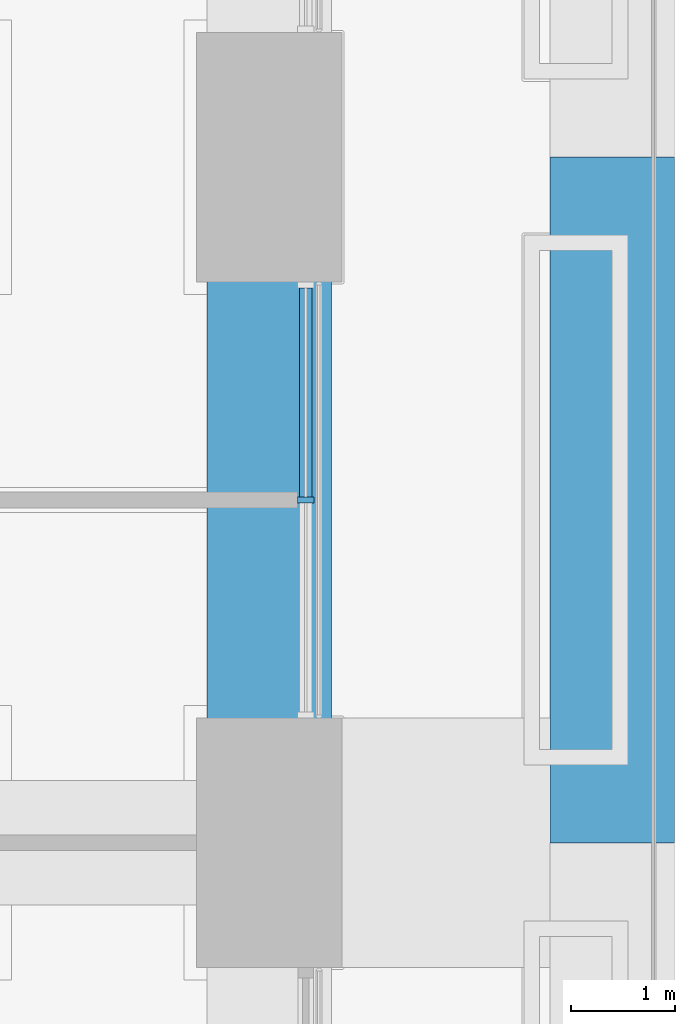
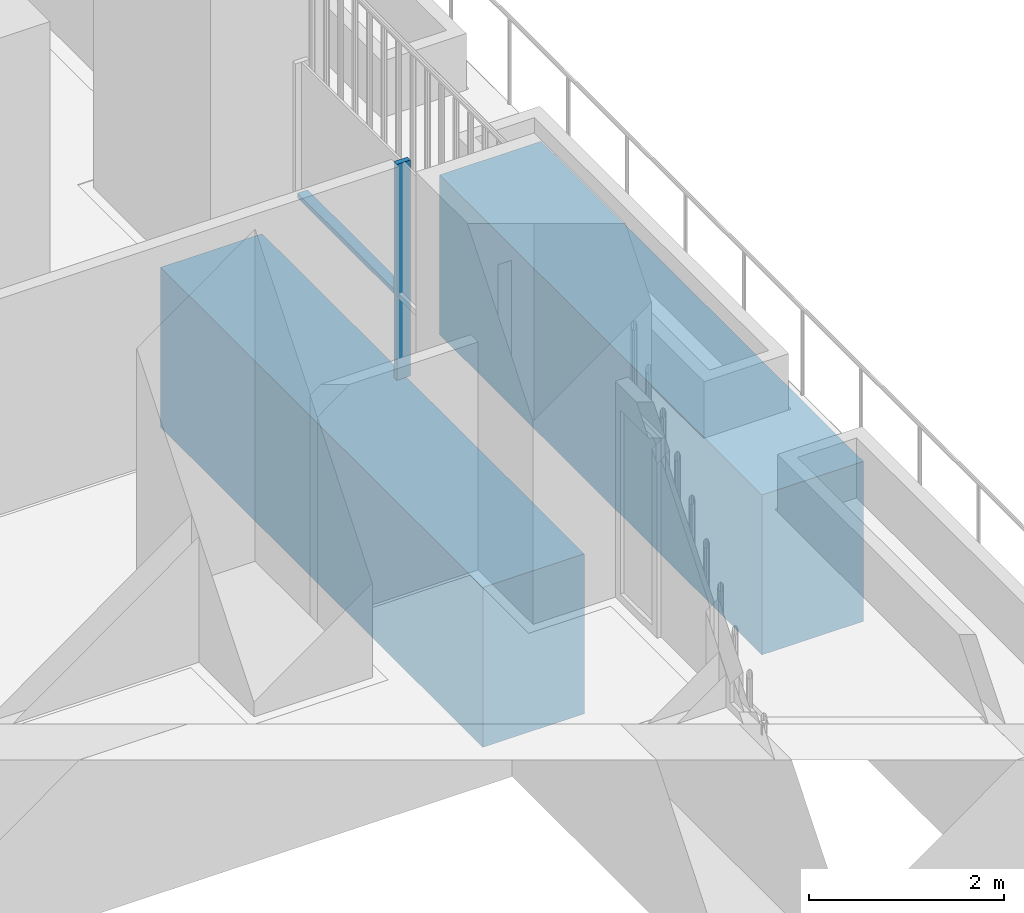
# One storey, part 6 of 27: 2 beams, 2 members, 1 element without a shape of its own.
"""IFC4 building model written with IfcOpenShell, lengths in metres."""

from ifc_helpers import new_model, si_unit, direction, frame, origin, origin_2d, place, context, subcontext, project, spatial, rectangle, extrude, material, material_profile, profile_set, type_object, element, aggregate, save


model = new_model("IFC4")

# Units and contexts
model_context = context("Model", 3, precision=1e-05, world=origin(), true_north=direction((0.0, 1.0)))
body_context = subcontext(model_context, "Body", "Model", "MODEL_VIEW")
ifc_project = project(units=[si_unit("LENGTHUNIT", "METRE"), si_unit("AREAUNIT", "SQUARE_METRE"), si_unit("VOLUMEUNIT", "CUBIC_METRE"), si_unit("PLANEANGLEUNIT", "RADIAN"), si_unit("MASSUNIT", "GRAM", prefix="KILO")], contexts=[model_context])

# Site, building, storey
site_placement = place(None, origin())
site = spatial("IfcSite", under=ifc_project, at=site_placement, CompositionType="ELEMENT")
building_placement = place(site_placement, origin())
building = spatial("IfcBuilding", under=site, at=building_placement, Name="Cobogo Forest Laboratory Tower", CompositionType="ELEMENT")
storey_placement = place(building_placement, frame((0.0, 0.0, 82.199951171875)))
storey = spatial("IfcBuildingStorey", under=building, at=storey_placement, Name="L18", CompositionType="ELEMENT", Elevation=82.199951171875)

# Curtain wall, member
ifc_material_1 = material(Name="Aluminium curtain wall", Category="aluminium")
curtain_wall_type = type_object("IfcCurtainWallType", Name="CW-1 unitised curtain wall, clear glazing, laboratory floors zones A and B", PredefinedType="USERDEFINED", material=ifc_material_1)
curtain_wall_placement = place(storey_placement, origin())
curtain_wall = element("IfcCurtainWall", 1, at=curtain_wall_placement, inside=storey, type_object=curtain_wall_type, Name="Curtain wall 13 L18", ObjectType="UNITISED CURTAIN WALL", PredefinedType="USERDEFINED")
ifc_material_2 = material(Name="Aluminium mullion", Category="aluminium")
ifc_material_profile_1 = material_profile(ifc_material_2, rectangle(XDim=0.06005859375, YDim=0.159912109375, at=origin_2d()), Name="AL 60x160")
ifc_profile_set_1 = profile_set([ifc_material_profile_1], Name="Aluminium mullion")
member_type_1 = type_object("IfcMemberType", Name="MU-1 aluminium mullion 60x160", PredefinedType="MULLION", material=ifc_profile_set_1)
member_1_placement = place(storey_placement, frame((49.85009765625, 29.699951171875, 0.0), z_axis=(0.0, 0.0, 1.0), x_axis=(0.0, 1.0, 0.0)))
member_1 = element("IfcMember", 2, at=member_1_placement, type_object=member_type_1, Name="CW-1 mullion 2", PredefinedType="MULLION", context=body_context, shape_type="SweptSolid", body=[
    extrude(rectangle(XDim=0.06005859375, YDim=0.159912109375, at=origin_2d()), origin(), (0.0, 0.0, 1.0), 2.699951171875),
])

# Beams
ifc_material_3 = material(Name="Concrete HA-40 (C40/50)", Category="concrete")
ifc_material_profile_2 = material_profile(ifc_material_3, rectangle(XDim=1.199951171875, YDim=2.0, at=origin_2d()), Name="RC 1200x2000")
ifc_profile_set_2 = profile_set([ifc_material_profile_2], Name="Concrete HA-40 (C40/50)")
beam_type = type_object("IfcBeamType", Name="Setback floor girder 1200x2000", PredefinedType="BEAM", material=ifc_profile_set_2)
for number, where, z_axis, x_axis, name in (
    (3, (52.800048828125, 26.39990234375, -1.300048828125), (0.0, 1.0, 0.0), (-1.0, 0.0, 0.0), "TG2 E-E4 L18"),
    (4, (49.5, 26.39990234375, -1.300048828125), (0.0, 1.0, 0.0), (-1.0, 0.0, 0.0), "TG2 UE-E4 L18"),
):
    element("IfcBeam", number, at=place(storey_placement, frame(where, z_axis=z_axis, x_axis=x_axis)), inside=storey, type_object=beam_type, Name=name, PredefinedType="BEAM", context=body_context, shape_type="SweptSolid", body=[
        extrude(rectangle(XDim=1.199951171875, YDim=2.0, at=origin_2d()), origin(), (0.0, 0.0, 1.0), 6.60009765625),
    ])

# Member
ifc_material_4 = material(Name="Aluminium transom", Category="aluminium")
ifc_material_profile_3 = material_profile(ifc_material_4, rectangle(XDim=0.1201171875, YDim=0.06005859375, at=origin_2d()), Name="AL 60x120")
ifc_profile_set_3 = profile_set([ifc_material_profile_3], Name="Aluminium transom")
member_type_2 = type_object("IfcMemberType", Name="TR-1 aluminium transom 60x120", PredefinedType="USERDEFINED", material=ifc_profile_set_3)
member_2_placement = place(storey_placement, frame((49.85009765625, 29.72998046875, 1.050048828125), z_axis=(0.0, 1.0, 0.0), x_axis=(-1.0, 0.0, 0.0)))
member_2 = element("IfcMember", 5, at=member_2_placement, type_object=member_type_2, Name="CW-1 transom 2.1", ObjectType="TRANSOM", PredefinedType="USERDEFINED", context=body_context, shape_type="SweptSolid", body=[
    extrude(rectangle(XDim=0.1201171875, YDim=0.06005859375, at=origin_2d()), origin(), (0.0, 0.0, 1.0), 2.010009765625),
])

aggregate(curtain_wall, [member_1, member_2])

save(model, "model.ifc")
